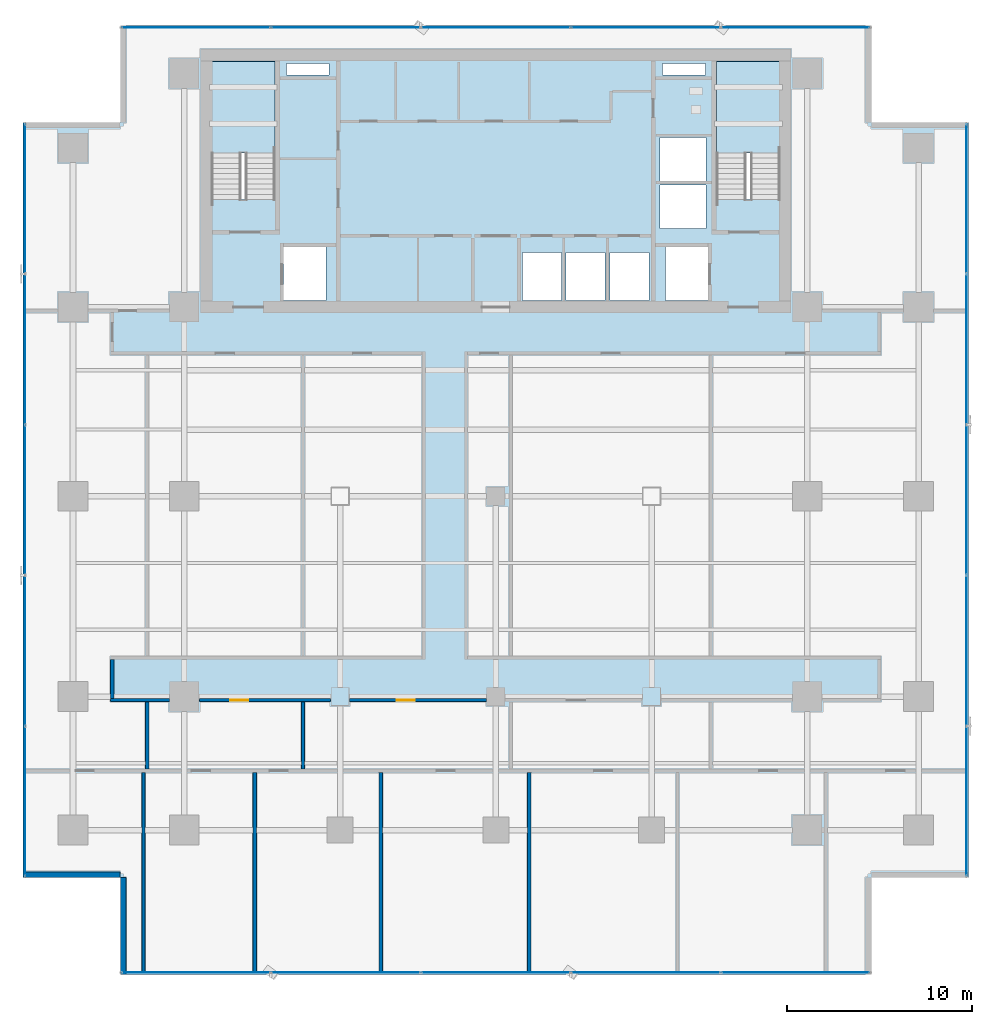
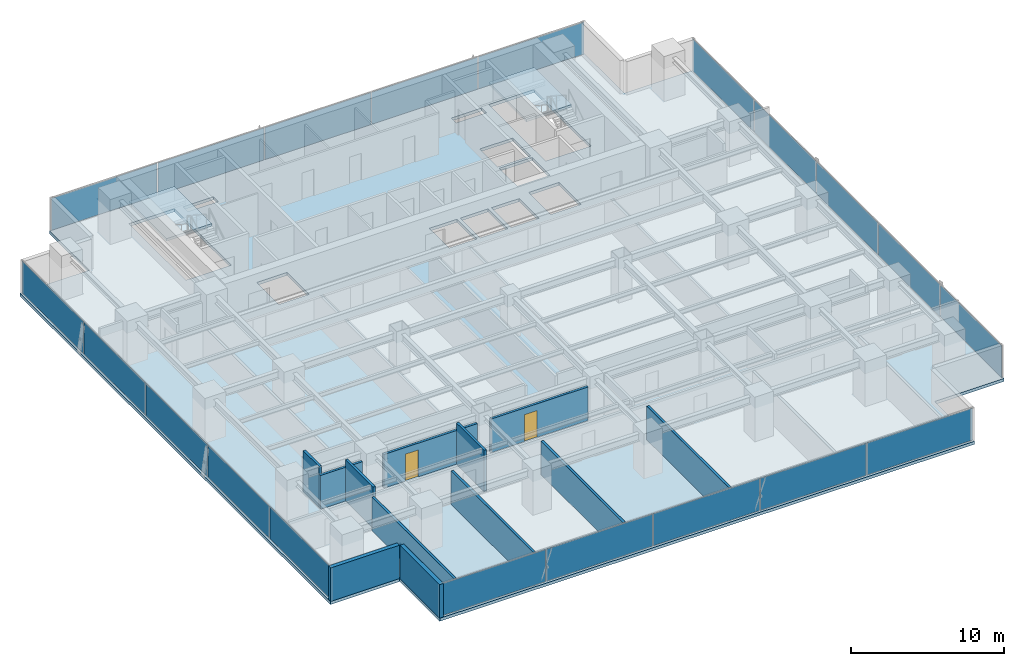
# One storey, part 27 of 36: 20 plates, 12 walls, 3 slabs, 2 doors, 2 openings, 6 elements without a shape of their own.
"""IFC4 building model written with IfcOpenShell, lengths in metres."""

from ifc_helpers import new_model, si_unit, direction, frame, frame_2d, origin, origin_2d, place, context, subcontext, project, spatial, polyline, rectangle, outline, extrude, source, transform, mapped, material, layer, layer_set, type_object, element, fill, aggregate, save


model = new_model("IFC4")

# Units and contexts
model_context = context("Model", 3, precision=1e-05, world=origin(), true_north=direction((0.0, 1.0)))
body_context = subcontext(model_context, "Body", "Model", "MODEL_VIEW")
ifc_project = project(units=[si_unit("LENGTHUNIT", "METRE"), si_unit("AREAUNIT", "SQUARE_METRE"), si_unit("VOLUMEUNIT", "CUBIC_METRE"), si_unit("PLANEANGLEUNIT", "RADIAN"), si_unit("MASSUNIT", "GRAM", prefix="KILO")], contexts=[model_context])

# Site, building, storey
site_placement = place(None, origin())
site = spatial("IfcSite", under=ifc_project, at=site_placement, CompositionType="ELEMENT")
building_placement = place(site_placement, origin())
building = spatial("IfcBuilding", under=site, at=building_placement, Name="Sumidabori Civic Tower", CompositionType="ELEMENT")
storey_placement = place(building_placement, frame((0.0, 0.0, 120.800048828125)))
storey = spatial("IfcBuildingStorey", under=building, at=storey_placement, Name="L31", CompositionType="ELEMENT", Elevation=120.800048828125)

# Stair, slab
ifc_material_1 = material(Name="Concrete C40/50", Category="concrete")
stair_type = type_object("IfcStairType", Name="ST-CORE-1600", PredefinedType="HALF_TURN_STAIR", material=ifc_material_1)
stair_1_placement = place(storey_placement, origin())
stair_1 = element("IfcStair", 1, at=stair_1_placement, inside=storey, type_object=stair_type, Name="L31 ST-1", PredefinedType="HALF_TURN_STAIR")
ifc_layer_1 = layer(ifc_material_1, 0.199951171875, Name="Concrete C40/50")
ifc_layer_set_1 = layer_set([ifc_layer_1], Name="Concrete C40/50")
slab_type_1 = type_object("IfcSlabType", Name="SL-LAND-200", PredefinedType="LANDING", material=ifc_layer_set_1)
slab_1_placement = place(storey_placement, frame((0.0, 0.0, 1.599853515625)))
slab_1 = element("IfcSlab", 2, at=slab_1_placement, type_object=slab_type_1, Name="ST-1 landing 1", PredefinedType="LANDING", context=body_context, shape_type="SweptSolid", body=[
    extrude(outline(polyline([(-11.89990234375, 18.52001953125), (-11.89990234375, 23.449951171875), (-15.340087890625, 23.449951171875), (-15.340087890625, 18.52001953125), (-11.89990234375, 18.52001953125)])), origin(), (0.0, 0.0, 1.0), 0.2001953125),
])
aggregate(stair_1, [slab_1])

stair_2_placement = place(storey_placement, origin())
stair_2 = element("IfcStair", 3, at=stair_2_placement, inside=storey, type_object=stair_type, Name="L31 ST-2", PredefinedType="HALF_TURN_STAIR")
slab_2_placement = place(storey_placement, frame((0.0, 0.0, 1.599853515625)))
slab_2 = element("IfcSlab", 4, at=slab_2_placement, type_object=slab_type_1, Name="ST-2 landing 1", PredefinedType="LANDING", context=body_context, shape_type="SweptSolid", body=[
    extrude(outline(polyline([(15.340087890625, 18.52001953125), (15.340087890625, 23.449951171875), (11.89990234375, 23.449951171875), (11.89990234375, 18.52001953125), (15.340087890625, 18.52001953125)])), origin(), (0.0, 0.0, 1.0), 0.2001953125),
])
aggregate(stair_2, [slab_2])

# Slab
ifc_layer_2 = layer(ifc_material_1, 0.239990234375, Name="Concrete C40/50")
ifc_layer_set_2 = layer_set([ifc_layer_2], Name="Concrete C40/50")
slab_type_2 = type_object("IfcSlabType", Name="SL-Z1-240", PredefinedType="FLOOR", material=ifc_layer_set_2)
slab_3_placement = place(storey_placement, frame((0.0, 0.0, -0.239990234375)))
element("IfcSlab", 5, at=slab_3_placement, inside=storey, type_object=slab_type_2, Name="Structural Slab L31", PredefinedType="FLOOR", context=body_context, shape_type="SweptSolid", body=[
    extrude(outline(polyline([(-20.25, -25.800048828125), (20.25, -25.800048828125), (20.25, -20.550048828125), (25.5, -20.550048828125), (25.5, 20.14990234375), (20.25, 20.14990234375), (20.25, 25.39990234375), (-20.25, 25.39990234375), (-20.25, 20.14990234375), (-25.5, 20.14990234375), (-25.5, -20.550048828125), (-20.25, -20.550048828125), (-20.25, -25.800048828125)]), holes=[polyline([(-11.89990234375, 16.0), (-11.89990234375, 23.449951171875), (-15.340087890625, 23.449951171875), (-15.340087890625, 16.0), (-11.89990234375, 16.0)]), polyline([(15.340087890625, 16.0), (15.340087890625, 23.449951171875), (11.89990234375, 23.449951171875), (11.89990234375, 16.0), (15.340087890625, 16.0)]), polyline([(-11.449951171875, 10.550048828125), (-9.14990234375, 10.550048828125), (-9.14990234375, 13.449951171875), (-11.449951171875, 13.449951171875), (-11.449951171875, 10.550048828125)]), polyline([(9.14990234375, 10.550048828125), (11.449951171875, 10.550048828125), (11.449951171875, 13.449951171875), (9.14990234375, 13.449951171875), (9.14990234375, 10.550048828125)]), polyline([(1.449951171875, 10.550048828125), (3.550048828125, 10.550048828125), (3.550048828125, 13.14990234375), (1.449951171875, 13.14990234375), (1.449951171875, 10.550048828125)]), polyline([(3.800048828125, 10.550048828125), (5.89990234375, 10.550048828125), (5.89990234375, 13.14990234375), (3.800048828125, 13.14990234375), (3.800048828125, 10.550048828125)]), polyline([(6.14990234375, 10.550048828125), (8.25, 10.550048828125), (8.25, 13.14990234375), (6.14990234375, 13.14990234375), (6.14990234375, 10.550048828125)]), polyline([(8.85009765625, 14.449951171875), (11.35009765625, 14.449951171875), (11.35009765625, 16.800048828125), (8.85009765625, 16.800048828125), (8.85009765625, 14.449951171875)]), polyline([(8.85009765625, 17.0), (11.35009765625, 17.0), (11.35009765625, 19.35009765625), (8.85009765625, 19.35009765625), (8.85009765625, 17.0)]), polyline([(-11.300048828125, 22.719970703125), (-9.0, 22.719970703125), (-9.0, 23.35009765625), (-11.300048828125, 23.35009765625), (-11.300048828125, 22.719970703125)]), polyline([(9.0, 22.719970703125), (11.300048828125, 22.719970703125), (11.300048828125, 23.35009765625), (9.0, 23.35009765625), (9.0, 22.719970703125)])]), origin(), (0.0, 0.0, 1.0), 0.239990234375),
])

# Curtain wall, plates
ifc_material_2 = material(Name="Anodised Bronze Aluminium AW-6063-T6", Category="aluminium")
ifc_layer_3 = layer(ifc_material_2, 0.179931640625, Name="Anodised Bronze Aluminium AW-6063-T6")
ifc_layer_set_3 = layer_set([ifc_layer_3], Name="Anodised Bronze Aluminium AW-6063-T6")
curtain_wall_type = type_object("IfcCurtainWallType", Name="CW-SYS-3", PredefinedType="NOTDEFINED", material=ifc_layer_set_3)
curtain_wall_1_placement = place(storey_placement, origin())
curtain_wall_1 = element("IfcCurtainWall", 6, at=curtain_wall_1_placement, inside=storey, type_object=curtain_wall_type, Name="Curtain Wall CW:L31:R01", PredefinedType="NOTDEFINED")
ifc_material_3 = material(Name="Low-E Solar-Control Vision Glazing", Category="glass")
ifc_layer_4 = layer(ifc_material_3, 0.028076171875, Name="Low-E Solar-Control Vision Glazing")
ifc_layer_set_4 = layer_set([ifc_layer_4], Name="Low-E Solar-Control Vision Glazing")
plate_type = type_object("IfcPlateType", Name="CW-PNL-28", PredefinedType="CURTAIN_PANEL", material=ifc_layer_set_4)
shared_shape_1 = source(origin(), body_context, "Body", "SweptSolid", [
    extrude(rectangle(XDim=7.990478515625, YDim=0.028076171875, at=origin_2d()), origin(), (0.0, 0.0, 1.0), 2.56005859375),
])
plate_1_placement = place(storey_placement, frame((-16.15966796875, -25.679931640625, 0.059814453125), z_axis=(0.0, 0.0, 1.0), x_axis=(1.0, 0.0, 0.0)))
plate_1 = element("IfcPlate", 7, at=plate_1_placement, type_object=plate_type, Name="CW-3 panel 1.1", PredefinedType="CURTAIN_PANEL", context=body_context, shape_type="MappedRepresentation", body=[
    mapped(shared_shape_1, transform((0.0, 0.0, 0.0), x_axis=(1.0, 0.0, 0.0), y_axis=(0.0, 1.0, 0.0), z_axis=(0.0, 0.0, 1.0), scale=1.0)),
])
plate_2_placement = place(storey_placement, frame((16.15966796875, -25.679931640625, 0.059814453125), z_axis=(0.0, 0.0, 1.0), x_axis=(1.0, 0.0, 0.0)))
plate_2 = element("IfcPlate", 8, at=plate_2_placement, type_object=plate_type, Name="CW-3 panel 5.1", PredefinedType="CURTAIN_PANEL", context=body_context, shape_type="MappedRepresentation", body=[
    mapped(shared_shape_1, transform((0.0, 0.0, 0.0), x_axis=(1.0, 0.0, 0.0), y_axis=(0.0, 1.0, 0.0), z_axis=(0.0, 0.0, 1.0), scale=1.0)),
])

curtain_wall_2_placement = place(storey_placement, origin())
curtain_wall_2 = element("IfcCurtainWall", 9, at=curtain_wall_2_placement, inside=storey, type_object=curtain_wall_type, Name="Curtain Wall CW:L31:R07", PredefinedType="NOTDEFINED")
plate_3_placement = place(storey_placement, frame((16.15966796875, 25.280029296875, 0.059814453125), z_axis=(0.0, 0.0, 1.0), x_axis=(-1.0, 0.0, 0.0)))
plate_3 = element("IfcPlate", 10, at=plate_3_placement, type_object=plate_type, Name="CW-3 panel 1.1", PredefinedType="CURTAIN_PANEL", context=body_context, shape_type="MappedRepresentation", body=[
    mapped(shared_shape_1, transform((0.0, 0.0, 0.0), x_axis=(1.0, 0.0, 0.0), y_axis=(0.0, 1.0, 0.0), z_axis=(0.0, 0.0, 1.0), scale=1.0)),
])
plate_4_placement = place(storey_placement, frame((-16.15966796875, 25.280029296875, 0.059814453125), z_axis=(0.0, 0.0, 1.0), x_axis=(-1.0, 0.0, 0.0)))
plate_4 = element("IfcPlate", 11, at=plate_4_placement, type_object=plate_type, Name="CW-3 panel 5.1", PredefinedType="CURTAIN_PANEL", context=body_context, shape_type="MappedRepresentation", body=[
    mapped(shared_shape_1, transform((0.0, 0.0, 0.0), x_axis=(1.0, 0.0, 0.0), y_axis=(0.0, 1.0, 0.0), z_axis=(0.0, 0.0, 1.0), scale=1.0)),
])

# Plate
shared_shape_2 = source(origin(), body_context, "Body", "SweptSolid", [
    extrude(rectangle(XDim=8.02294921875, YDim=0.028076171875, at=origin_2d()), origin(), (0.0, 0.0, 1.0), 2.56005859375),
])
plate_5_placement = place(storey_placement, frame((-8.087890625, -25.679931640625, 0.059814453125), z_axis=(0.0, 0.0, 1.0), x_axis=(1.0, 0.0, 0.0)))
plate_5 = element("IfcPlate", 12, at=plate_5_placement, type_object=plate_type, Name="CW-3 panel 2.1", PredefinedType="CURTAIN_PANEL", context=body_context, shape_type="MappedRepresentation", body=[
    mapped(shared_shape_2, transform((0.0, 0.0, 0.0), x_axis=(1.0, 0.0, 0.0), y_axis=(0.0, 1.0, 0.0), z_axis=(0.0, 0.0, 1.0), scale=1.0)),
])

plate_6_placement = place(storey_placement, frame((0.0, -25.679931640625, 0.059814453125), z_axis=(0.0, 0.0, 1.0), x_axis=(1.0, 0.0, 0.0)))
plate_6 = element("IfcPlate", 13, at=plate_6_placement, type_object=plate_type, Name="CW-3 panel 3.1", PredefinedType="CURTAIN_PANEL", context=body_context, shape_type="MappedRepresentation", body=[
    mapped(shared_shape_2, transform((0.0, 0.0, 0.0), x_axis=(1.0, 0.0, 0.0), y_axis=(0.0, 1.0, 0.0), z_axis=(0.0, 0.0, 1.0), scale=1.0)),
])

plate_7_placement = place(storey_placement, frame((8.087890625, -25.679931640625, 0.059814453125), z_axis=(0.0, 0.0, 1.0), x_axis=(1.0, 0.0, 0.0)))
plate_7 = element("IfcPlate", 14, at=plate_7_placement, type_object=plate_type, Name="CW-3 panel 4.1", PredefinedType="CURTAIN_PANEL", context=body_context, shape_type="MappedRepresentation", body=[
    mapped(shared_shape_2, transform((0.0, 0.0, 0.0), x_axis=(1.0, 0.0, 0.0), y_axis=(0.0, 1.0, 0.0), z_axis=(0.0, 0.0, 1.0), scale=1.0)),
])

aggregate(curtain_wall_1, [plate_1, plate_5, plate_6, plate_7, plate_2])

plate_8_placement = place(storey_placement, frame((8.087890625, 25.280029296875, 0.059814453125), z_axis=(0.0, 0.0, 1.0), x_axis=(-1.0, 0.0, 0.0)))
plate_8 = element("IfcPlate", 15, at=plate_8_placement, type_object=plate_type, Name="CW-3 panel 2.1", PredefinedType="CURTAIN_PANEL", context=body_context, shape_type="MappedRepresentation", body=[
    mapped(shared_shape_2, transform((0.0, 0.0, 0.0), x_axis=(1.0, 0.0, 0.0), y_axis=(0.0, 1.0, 0.0), z_axis=(0.0, 0.0, 1.0), scale=1.0)),
])

plate_9_placement = place(storey_placement, frame((0.0, 25.280029296875, 0.059814453125), z_axis=(0.0, 0.0, 1.0), x_axis=(-1.0, 0.0, 0.0)))
plate_9 = element("IfcPlate", 16, at=plate_9_placement, type_object=plate_type, Name="CW-3 panel 3.1", PredefinedType="CURTAIN_PANEL", context=body_context, shape_type="MappedRepresentation", body=[
    mapped(shared_shape_2, transform((0.0, 0.0, 0.0), x_axis=(1.0, 0.0, 0.0), y_axis=(0.0, 1.0, 0.0), z_axis=(0.0, 0.0, 1.0), scale=1.0)),
])

plate_10_placement = place(storey_placement, frame((-8.087890625, 25.280029296875, 0.059814453125), z_axis=(0.0, 0.0, 1.0), x_axis=(-1.0, 0.0, 0.0)))
plate_10 = element("IfcPlate", 17, at=plate_10_placement, type_object=plate_type, Name="CW-3 panel 4.1", PredefinedType="CURTAIN_PANEL", context=body_context, shape_type="MappedRepresentation", body=[
    mapped(shared_shape_2, transform((0.0, 0.0, 0.0), x_axis=(1.0, 0.0, 0.0), y_axis=(0.0, 1.0, 0.0), z_axis=(0.0, 0.0, 1.0), scale=1.0)),
])

aggregate(curtain_wall_2, [plate_3, plate_8, plate_9, plate_10, plate_4])

# Curtain wall, plates
curtain_wall_3_placement = place(storey_placement, origin())
curtain_wall_3 = element("IfcCurtainWall", 18, at=curtain_wall_3_placement, inside=storey, type_object=curtain_wall_type, Name="Curtain Wall CW:L31:R04", PredefinedType="NOTDEFINED")
shared_shape_3 = source(origin(), body_context, "Body", "SweptSolid", [
    extrude(rectangle(XDim=8.030517578125, YDim=0.028076171875, at=origin_2d()), origin(), (0.0, 0.0, 1.0), 2.56005859375),
])
plate_11_placement = place(storey_placement, frame((25.3798828125, -16.439697265625, 0.059814453125), z_axis=(0.0, 0.0, 1.0), x_axis=(0.0, 1.0, 0.0)))
plate_11 = element("IfcPlate", 19, at=plate_11_placement, type_object=plate_type, Name="CW-3 panel 1.1", PredefinedType="CURTAIN_PANEL", context=body_context, shape_type="MappedRepresentation", body=[
    mapped(shared_shape_3, transform((0.0, 0.0, 0.0), x_axis=(1.0, 0.0, 0.0), y_axis=(0.0, 1.0, 0.0), z_axis=(0.0, 0.0, 1.0), scale=1.0)),
])
plate_12_placement = place(storey_placement, frame((25.3798828125, 16.039794921875, 0.059814453125), z_axis=(0.0, 0.0, 1.0), x_axis=(0.0, 1.0, 0.0)))
plate_12 = element("IfcPlate", 20, at=plate_12_placement, type_object=plate_type, Name="CW-3 panel 5.1", PredefinedType="CURTAIN_PANEL", context=body_context, shape_type="MappedRepresentation", body=[
    mapped(shared_shape_3, transform((0.0, 0.0, 0.0), x_axis=(1.0, 0.0, 0.0), y_axis=(0.0, 1.0, 0.0), z_axis=(0.0, 0.0, 1.0), scale=1.0)),
])

curtain_wall_4_placement = place(storey_placement, origin())
curtain_wall_4 = element("IfcCurtainWall", 21, at=curtain_wall_4_placement, inside=storey, type_object=curtain_wall_type, Name="Curtain Wall CW:L31:R10", PredefinedType="NOTDEFINED")
plate_13_placement = place(storey_placement, frame((-25.3798828125, 16.039794921875, 0.059814453125), z_axis=(0.0, 0.0, 1.0), x_axis=(0.0, -1.0, 0.0)))
plate_13 = element("IfcPlate", 22, at=plate_13_placement, type_object=plate_type, Name="CW-3 panel 1.1", PredefinedType="CURTAIN_PANEL", context=body_context, shape_type="MappedRepresentation", body=[
    mapped(shared_shape_3, transform((0.0, 0.0, 0.0), x_axis=(1.0, 0.0, 0.0), y_axis=(0.0, 1.0, 0.0), z_axis=(0.0, 0.0, 1.0), scale=1.0)),
])
plate_14_placement = place(storey_placement, frame((-25.3798828125, -16.439697265625, 0.059814453125), z_axis=(0.0, 0.0, 1.0), x_axis=(0.0, -1.0, 0.0)))
plate_14 = element("IfcPlate", 23, at=plate_14_placement, type_object=plate_type, Name="CW-3 panel 5.1", PredefinedType="CURTAIN_PANEL", context=body_context, shape_type="MappedRepresentation", body=[
    mapped(shared_shape_3, transform((0.0, 0.0, 0.0), x_axis=(1.0, 0.0, 0.0), y_axis=(0.0, 1.0, 0.0), z_axis=(0.0, 0.0, 1.0), scale=1.0)),
])

# Plate
shared_shape_4 = source(origin(), body_context, "Body", "SweptSolid", [
    extrude(rectangle(XDim=8.06298828125, YDim=0.028076171875, at=origin_2d()), origin(), (0.0, 0.0, 1.0), 2.56005859375),
])
plate_15_placement = place(storey_placement, frame((25.3798828125, -8.327880859375, 0.059814453125), z_axis=(0.0, 0.0, 1.0), x_axis=(0.0, 1.0, 0.0)))
plate_15 = element("IfcPlate", 24, at=plate_15_placement, type_object=plate_type, Name="CW-3 panel 2.1", PredefinedType="CURTAIN_PANEL", context=body_context, shape_type="MappedRepresentation", body=[
    mapped(shared_shape_4, transform((0.0, 0.0, 0.0), x_axis=(1.0, 0.0, 0.0), y_axis=(0.0, 1.0, 0.0), z_axis=(0.0, 0.0, 1.0), scale=1.0)),
])

plate_16_placement = place(storey_placement, frame((25.3798828125, -0.199951171875, 0.059814453125), z_axis=(0.0, 0.0, 1.0), x_axis=(0.0, 1.0, 0.0)))
plate_16 = element("IfcPlate", 25, at=plate_16_placement, type_object=plate_type, Name="CW-3 panel 3.1", PredefinedType="CURTAIN_PANEL", context=body_context, shape_type="MappedRepresentation", body=[
    mapped(shared_shape_4, transform((0.0, 0.0, 0.0), x_axis=(1.0, 0.0, 0.0), y_axis=(0.0, 1.0, 0.0), z_axis=(0.0, 0.0, 1.0), scale=1.0)),
])

plate_17_placement = place(storey_placement, frame((25.3798828125, 7.927978515625, 0.059814453125), z_axis=(0.0, 0.0, 1.0), x_axis=(0.0, 1.0, 0.0)))
plate_17 = element("IfcPlate", 26, at=plate_17_placement, type_object=plate_type, Name="CW-3 panel 4.1", PredefinedType="CURTAIN_PANEL", context=body_context, shape_type="MappedRepresentation", body=[
    mapped(shared_shape_4, transform((0.0, 0.0, 0.0), x_axis=(1.0, 0.0, 0.0), y_axis=(0.0, 1.0, 0.0), z_axis=(0.0, 0.0, 1.0), scale=1.0)),
])

aggregate(curtain_wall_3, [plate_11, plate_15, plate_16, plate_17, plate_12])

plate_18_placement = place(storey_placement, frame((-25.3798828125, 7.927978515625, 0.059814453125), z_axis=(0.0, 0.0, 1.0), x_axis=(0.0, -1.0, 0.0)))
plate_18 = element("IfcPlate", 27, at=plate_18_placement, type_object=plate_type, Name="CW-3 panel 2.1", PredefinedType="CURTAIN_PANEL", context=body_context, shape_type="MappedRepresentation", body=[
    mapped(shared_shape_4, transform((0.0, 0.0, 0.0), x_axis=(1.0, 0.0, 0.0), y_axis=(0.0, 1.0, 0.0), z_axis=(0.0, 0.0, 1.0), scale=1.0)),
])

plate_19_placement = place(storey_placement, frame((-25.3798828125, -0.199951171875, 0.059814453125), z_axis=(0.0, 0.0, 1.0), x_axis=(0.0, -1.0, 0.0)))
plate_19 = element("IfcPlate", 28, at=plate_19_placement, type_object=plate_type, Name="CW-3 panel 3.1", PredefinedType="CURTAIN_PANEL", context=body_context, shape_type="MappedRepresentation", body=[
    mapped(shared_shape_4, transform((0.0, 0.0, 0.0), x_axis=(1.0, 0.0, 0.0), y_axis=(0.0, 1.0, 0.0), z_axis=(0.0, 0.0, 1.0), scale=1.0)),
])

plate_20_placement = place(storey_placement, frame((-25.3798828125, -8.327880859375, 0.059814453125), z_axis=(0.0, 0.0, 1.0), x_axis=(0.0, -1.0, 0.0)))
plate_20 = element("IfcPlate", 29, at=plate_20_placement, type_object=plate_type, Name="CW-3 panel 4.1", PredefinedType="CURTAIN_PANEL", context=body_context, shape_type="MappedRepresentation", body=[
    mapped(shared_shape_4, transform((0.0, 0.0, 0.0), x_axis=(1.0, 0.0, 0.0), y_axis=(0.0, 1.0, 0.0), z_axis=(0.0, 0.0, 1.0), scale=1.0)),
])

aggregate(curtain_wall_4, [plate_13, plate_18, plate_19, plate_20, plate_14])

# Walls
ifc_material_4 = material(Name="Precast concrete C40/50", Category="concrete")
ifc_layer_5 = layer(ifc_material_4, 0.300048828125, Name="Precast concrete C40/50")
ifc_layer_set_5 = layer_set([ifc_layer_5], Name="Precast concrete C40/50")
wall_type_1 = type_object("IfcWallType", Name="WL-EXT-POD300", PredefinedType="STANDARD", material=ifc_layer_set_5)
shared_shape_5 = source(origin(), body_context, "Body", "SweptSolid", [
    extrude(rectangle(XDim=5.2099609375, YDim=0.300048828125, at=frame_2d((2.60498046875, 0.0))), origin(), (0.0, 0.0, 1.0), 2.679931640625),
])
for number, where, z_axis, x_axis, name in (
    (30, (-25.47998046875, -20.39990234375, 0.0), (0.0, 0.0, 1.0), (1.0, 0.0, 0.0), "Notched Corner Spandrel Band L31-11"),
    (31, (-20.10009765625, -20.570068359375, 0.0), (0.0, 0.0, 1.0), (0.0, -1.0, 0.0), "Notched Corner Spandrel Band L31-12"),
):
    element("IfcWall", number, at=place(storey_placement, frame(where, z_axis=z_axis, x_axis=x_axis)), inside=storey, type_object=wall_type_1, Name=name, PredefinedType="STANDARD", context=body_context, shape_type="MappedRepresentation", body=[
        mapped(shared_shape_5, transform((0.0, 0.0, 0.0), x_axis=(1.0, 0.0, 0.0), y_axis=(0.0, 1.0, 0.0), z_axis=(0.0, 0.0, 1.0), scale=1.0)),
    ])
ifc_material_5 = material(Name="Gypsum Plasterboard Acoustic Partition")
ifc_layer_6 = layer(ifc_material_5, 0.179931640625, Name="Gypsum Plasterboard Acoustic Partition")
ifc_layer_set_6 = layer_set([ifc_layer_6], Name="Gypsum Plasterboard Acoustic Partition")
wall_type_2 = type_object("IfcWallType", Name="WL-PART-180", PredefinedType="PARTITIONING", material=ifc_layer_set_6)
shared_shape_6 = source(origin(), body_context, "Body", "SweptSolid", [
    extrude(rectangle(XDim=3.169921875, YDim=0.179931640625, at=frame_2d((1.5849609375, 0.0))), origin(), (0.0, 0.0, 1.0), 2.68505859375),
])
wall_1_placement = place(storey_placement, frame((-20.780029296875, -10.989990234375, 0.0), z_axis=(0.0, 0.0, 1.0), x_axis=(1.0, 0.0, 0.0)))
element("IfcWall", 32, at=wall_1_placement, inside=storey, type_object=wall_type_2, Name="Interior Partition WL:L31:CORR-SS-1", PredefinedType="PARTITIONING", context=body_context, shape_type="MappedRepresentation", body=[
    mapped(shared_shape_6, transform((0.0, 0.0, 0.0), x_axis=(1.0, 0.0, 0.0), y_axis=(0.0, 1.0, 0.0), z_axis=(0.0, 0.0, 1.0), scale=1.0)),
])

# Wall, opening, door
shared_shape_7 = source(origin(), body_context, "Body", "SweptSolid", [
    extrude(rectangle(XDim=7.080078125, YDim=0.179931640625, at=frame_2d((3.5400390625, 0.0))), origin(), (0.0, 0.0, 1.0), 2.68505859375),
])
wall_2_placement = place(storey_placement, frame((-15.989990234375, -10.989990234375, 0.0), z_axis=(0.0, 0.0, 1.0), x_axis=(1.0, 0.0, 0.0)))
wall_2 = element("IfcWall", 33, at=wall_2_placement, inside=storey, type_object=wall_type_2, Name="Interior Partition WL:L31:CORR-SS-2", PredefinedType="PARTITIONING", context=body_context, shape_type="MappedRepresentation", body=[
    mapped(shared_shape_7, transform((0.0, 0.0, 0.0), x_axis=(1.0, 0.0, 0.0), y_axis=(0.0, 1.0, 0.0), z_axis=(0.0, 0.0, 1.0), scale=1.0)),
])
opening_1_placement = place(wall_2_placement, frame((1.659912109375, 0.0, 0.0)))
opening_1 = element("IfcOpeningElement", 34, at=opening_1_placement, cuts=wall_2, Name="Opening DR-3", PredefinedType="OPENING", context=body_context, shape_type="SweptSolid", body=[
    extrude(rectangle(XDim=0.97998046875, YDim=2.14990234375, at=frame_2d((0.489990234375, 1.074951171875))), frame((0.0, 0.10205078125, 0.0), z_axis=(0.0, -1.0, 0.0), x_axis=(1.0, 0.0, 0.0)), (0.0, 0.0, 1.0), 0.203857421875),
])
ifc_material_6 = material(Name="Japanese Hinoki Timber", Category="wood")
door_type = type_object("IfcDoorType", Name="DR-INT-980", OperationType="NOTDEFINED", PredefinedType="DOOR", material=ifc_material_6)
shared_shape_8 = source(origin(), body_context, "Body", "SweptSolid", [
    extrude(rectangle(XDim=0.97998046875, YDim=2.14990234375, at=frame_2d((0.489990234375, 1.074951171875))), frame((0.0, 0.02490234375, 0.0), z_axis=(0.0, -1.0, 0.0), x_axis=(1.0, 0.0, 0.0)), (0.0, 0.0, 1.0), 0.050048828125),
])
door_1_placement = place(opening_1_placement, origin())
door_1 = element("IfcDoor", 35, at=door_1_placement, inside=storey, type_object=door_type, Name="Door DR:L31:D08", OperationType="SINGLE_SWING_RIGHT", OverallHeight=2.14990234375, OverallWidth=0.97998046875, PredefinedType="DOOR", context=body_context, shape_type="MappedRepresentation", body=[
    mapped(shared_shape_8, transform((0.0, 0.0, 0.0), x_axis=(1.0, 0.0, 0.0), y_axis=(0.0, 1.0, 0.0), z_axis=(0.0, 0.0, 1.0), scale=1.0)),
])
fill(opening_1, door_1)

shared_shape_9 = source(origin(), body_context, "Body", "SweptSolid", [
    extrude(rectangle(XDim=7.3798828125, YDim=0.179931640625, at=frame_2d((3.68994140625, 0.0))), origin(), (0.0, 0.0, 1.0), 2.68505859375),
])
wall_3_placement = place(storey_placement, frame((-7.889892578125, -10.989990234375, 0.0), z_axis=(0.0, 0.0, 1.0), x_axis=(1.0, 0.0, 0.0)))
wall_3 = element("IfcWall", 36, at=wall_3_placement, inside=storey, type_object=wall_type_2, Name="Interior Partition WL:L31:CORR-SS-3", PredefinedType="PARTITIONING", context=body_context, shape_type="MappedRepresentation", body=[
    mapped(shared_shape_9, transform((0.0, 0.0, 0.0), x_axis=(1.0, 0.0, 0.0), y_axis=(0.0, 1.0, 0.0), z_axis=(0.0, 0.0, 1.0), scale=1.0)),
])
opening_2_placement = place(wall_3_placement, frame((2.5400390625, 0.0, 0.0)))
opening_2 = element("IfcOpeningElement", 37, at=opening_2_placement, cuts=wall_3, Name="Opening DR-3", PredefinedType="OPENING", context=body_context, shape_type="SweptSolid", body=[
    extrude(rectangle(XDim=0.97998046875, YDim=2.14990234375, at=frame_2d((0.489990234375, 1.074951171875))), frame((0.0, 0.10205078125, 0.0), z_axis=(0.0, -1.0, 0.0), x_axis=(1.0, 0.0, 0.0)), (0.0, 0.0, 1.0), 0.203857421875),
])
door_2_placement = place(opening_2_placement, origin())
door_2 = element("IfcDoor", 38, at=door_2_placement, inside=storey, type_object=door_type, Name="Door DR:L31:D09", OperationType="SINGLE_SWING_LEFT", OverallHeight=2.14990234375, OverallWidth=0.97998046875, PredefinedType="DOOR", context=body_context, shape_type="MappedRepresentation", body=[
    mapped(shared_shape_8, transform((0.0, 0.0, 0.0), x_axis=(1.0, 0.0, 0.0), y_axis=(0.0, 1.0, 0.0), z_axis=(0.0, 0.0, 1.0), scale=1.0)),
])
fill(opening_2, door_2)

# Walls
shared_shape_10 = source(origin(), body_context, "Body", "SweptSolid", [
    extrude(rectangle(XDim=2.090087890625, YDim=0.179931640625, at=frame_2d((1.044921875, 0.0))), origin(), (0.0, 0.0, 1.0), 3.300048828125),
])
wall_4_placement = place(storey_placement, frame((-20.68994140625, -10.89501953125, 0.0), z_axis=(0.0, 0.0, 1.0), x_axis=(0.0, 1.0, 0.0)))
element("IfcWall", 39, at=wall_4_placement, inside=storey, type_object=wall_type_2, Name="Interior Partition WL:L31:CORR-VSW", PredefinedType="PARTITIONING", context=body_context, shape_type="MappedRepresentation", body=[
    mapped(shared_shape_10, transform((0.0, 0.0, 0.0), x_axis=(1.0, 0.0, 0.0), y_axis=(0.0, 1.0, 0.0), z_axis=(0.0, 0.0, 1.0), scale=1.0)),
])
shared_shape_11 = source(origin(), body_context, "Body", "SweptSolid", [
    extrude(rectangle(XDim=3.6201171875, YDim=0.179931640625, at=frame_2d((1.81005859375, 0.0))), origin(), (0.0, 0.0, 1.0), 3.300048828125),
])
for number, where, z_axis, x_axis, name in (
    (40, (-18.800048828125, -14.705078125, 0.0), (0.0, 0.0, 1.0), (0.0, 1.0, 0.0), "Interior Partition WL:L31:VX-N1-1"),
    (41, (-10.39990234375, -14.705078125, 0.0), (0.0, 0.0, 1.0), (0.0, 1.0, 0.0), "Interior Partition WL:L31:VX-N2-1"),
):
    element("IfcWall", number, at=place(storey_placement, frame(where, z_axis=z_axis, x_axis=x_axis)), inside=storey, type_object=wall_type_2, Name=name, PredefinedType="PARTITIONING", context=body_context, shape_type="MappedRepresentation", body=[
        mapped(shared_shape_11, transform((0.0, 0.0, 0.0), x_axis=(1.0, 0.0, 0.0), y_axis=(0.0, 1.0, 0.0), z_axis=(0.0, 0.0, 1.0), scale=1.0)),
    ])
shared_shape_12 = source(origin(), body_context, "Body", "SweptSolid", [
    extrude(rectangle(XDim=10.7548828125, YDim=0.179931640625, at=frame_2d((5.37744140625, 0.0))), origin(), (0.0, 0.0, 1.0), 2.68505859375),
])
for number, where, z_axis, x_axis, name in (
    (42, (-19.0, -25.64990234375, 0.0), (0.0, 0.0, 1.0), (0.0, 1.0, 0.0), "Interior Partition WL:L31:VX-S1"),
    (43, (-13.0, -25.64990234375, 0.0), (0.0, 0.0, 1.0), (0.0, 1.0, 0.0), "Interior Partition WL:L31:VX-S2"),
    (44, (-6.199951171875, -25.64990234375, 0.0), (0.0, 0.0, 1.0), (0.0, 1.0, 0.0), "Interior Partition WL:L31:VX-S3"),
    (45, (1.800048828125, -25.64990234375, 0.0), (0.0, 0.0, 1.0), (0.0, 1.0, 0.0), "Interior Partition WL:L31:VX-S4"),
):
    element("IfcWall", number, at=place(storey_placement, frame(where, z_axis=z_axis, x_axis=x_axis)), inside=storey, type_object=wall_type_2, Name=name, PredefinedType="PARTITIONING", context=body_context, shape_type="MappedRepresentation", body=[
        mapped(shared_shape_12, transform((0.0, 0.0, 0.0), x_axis=(1.0, 0.0, 0.0), y_axis=(0.0, 1.0, 0.0), z_axis=(0.0, 0.0, 1.0), scale=1.0)),
    ])

save(model, "model.ifc")
